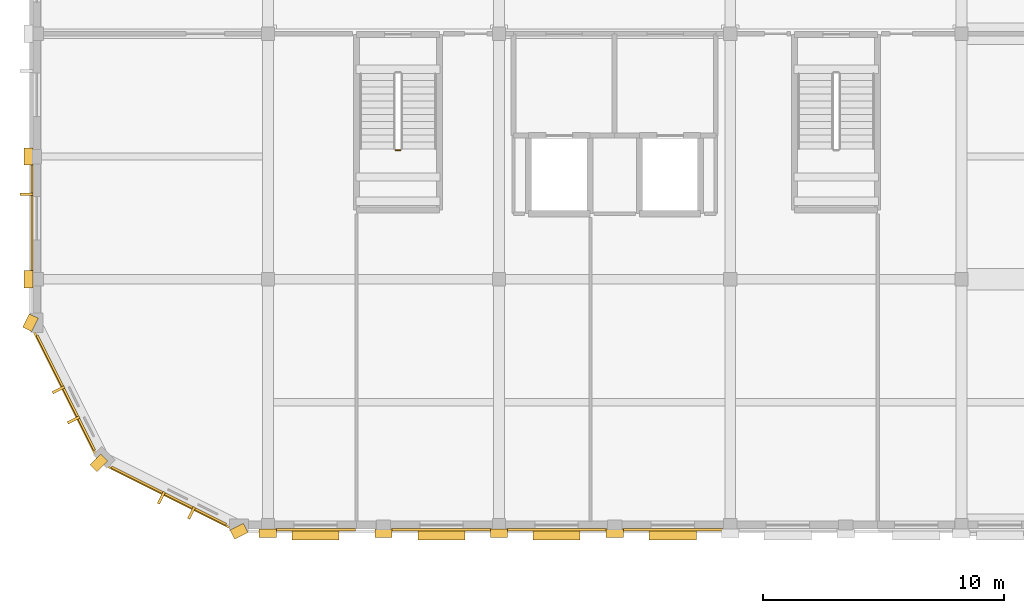
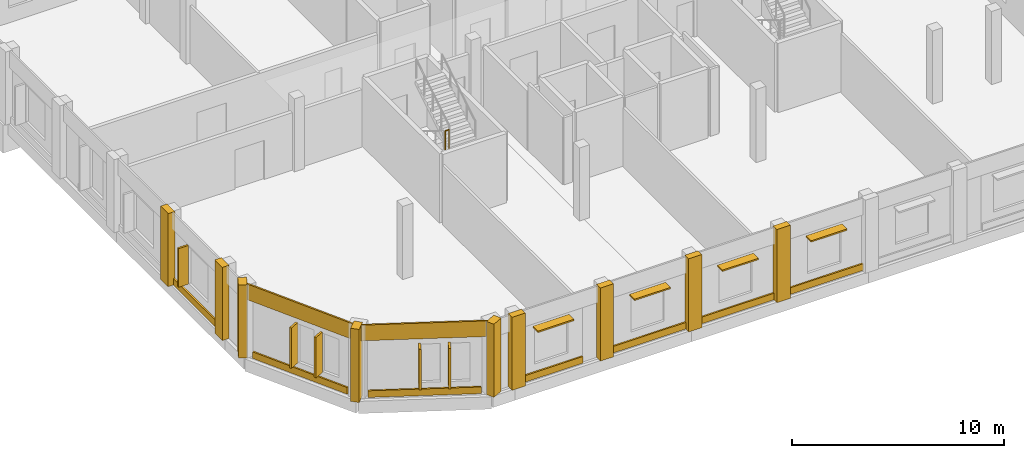
# One storey, part 64 of 70: 18 coverings, 9 shading devices, 1 railing.
"""IFC4 building model written with IfcOpenShell, lengths in metres."""

from ifc_helpers import new_model, si_unit, direction, frame, origin, origin_2d, place, context, subcontext, project, spatial, rectangle, circle, extrude, material, layer, layer_set, type_object, element, save


model = new_model("IFC4")

# Units and contexts
model_context = context("Model", 3, precision=1e-05, world=origin(), true_north=direction((0.0, 1.0)))
body_context = subcontext(model_context, "Body", "Model", "MODEL_VIEW")
ifc_project = project(units=[si_unit("LENGTHUNIT", "METRE"), si_unit("AREAUNIT", "SQUARE_METRE"), si_unit("VOLUMEUNIT", "CUBIC_METRE"), si_unit("PLANEANGLEUNIT", "RADIAN"), si_unit("MASSUNIT", "GRAM", prefix="KILO")], contexts=[model_context])

# Site, building, storey
site_placement = place(None, origin())
site = spatial("IfcSite", under=ifc_project, at=site_placement, CompositionType="ELEMENT")
building_placement = place(site_placement, origin())
building = spatial("IfcBuilding", under=site, at=building_placement, Name="Vondelvale Polytechnic", CompositionType="ELEMENT")
storey_placement = place(building_placement, frame((0.0, 0.0, 22.199951171875)))
storey = spatial("IfcBuildingStorey", under=building, at=storey_placement, Name="L05", CompositionType="ELEMENT", Elevation=22.199951171875)

# Coverings
ifc_material_1 = material(Name="Amsterdam School iron-spot clinker clay brickwork", Category="masonry")
ifc_layer_1 = layer(ifc_material_1, 0.090087890625)
ifc_layer_set_1 = layer_set([ifc_layer_1], Name="COV-BRICK-RELIEF")
covering_type = type_object("IfcCoveringType", Name="COV-BRICK-RELIEF", PredefinedType="CLADDING", material=ifc_layer_set_1)
for number, where, z_axis, x_axis, name in (
    (1, (5.4814453125, 1.1630859375, 3.300048828125), (0.0, 0.0, 1.0), (-0.89438856037, 0.447290848419, 0.0), "L05 exterior masonry spandrel band"),
    (2, (1.1630859375, 5.4814453125, 3.300048828125), (0.0, 0.0, 1.0), (-0.447290848419, 0.89438856037, 0.0), "L05 exterior masonry spandrel band"),
):
    element("IfcCovering", number, at=place(storey_placement, frame(where, z_axis=z_axis, x_axis=x_axis)), inside=storey, type_object=covering_type, Name=name, PredefinedType="CLADDING", context=body_context, shape_type="SweptSolid", body=[
        extrude(rectangle(XDim=6.260986328125, YDim=0.090087890625, at=origin_2d()), origin(), (0.0, 0.0, 1.0), 0.89990234375),
    ])
for number, where, z_axis, x_axis, name in (
    (3, (5.491943359375, 1.212646484375, 0.0), (0.0, 0.0, 1.0), (-0.89438856037, 0.447290848419, 0.0), "L05 exterior corbelled masonry relief band"),
    (4, (1.212646484375, 5.491943359375, 0.0), (0.0, 0.0, 1.0), (-0.447290848419, 0.89438856037, 0.0), "L05 exterior corbelled masonry relief band"),
):
    element("IfcCovering", number, at=place(storey_placement, frame(where, z_axis=z_axis, x_axis=x_axis)), inside=storey, type_object=covering_type, Name=name, PredefinedType="CLADDING", context=body_context, shape_type="SweptSolid", body=[
        extrude(rectangle(XDim=5.330078125, YDim=0.090087890625, at=origin_2d()), origin(), (0.0, 0.0, 1.0), 0.3798828125),
    ])
covering_1_placement = place(storey_placement, frame((11.575439453125, -0.200927734375, 0.0), z_axis=(0.0, 0.0, 1.0), x_axis=(-1.0, 0.0, 0.0)))
element("IfcCovering", 5, at=covering_1_placement, inside=storey, type_object=covering_type, Name="L05 exterior corbelled masonry relief band", PredefinedType="CLADDING", context=body_context, shape_type="SweptSolid", body=[
    extrude(rectangle(XDim=3.339111328125, YDim=0.090087890625, at=origin_2d()), origin(), (0.0, 0.0, 1.0), 0.3798828125),
])
for number, where, z_axis, x_axis, name in (
    (6, (16.8125, -0.200927734375, 0.0), (0.0, 0.0, 1.0), (-1.0, 0.0, 0.0), "L05 exterior corbelled masonry relief band"),
    (7, (21.58740234375, -0.200927734375, 0.0), (0.0, 0.0, 1.0), (-1.0, 0.0, 0.0), "L05 exterior corbelled masonry relief band"),
    (8, (26.41259765625, -0.200927734375, 0.0), (0.0, 0.0, 1.0), (-1.0, 0.0, 0.0), "L05 exterior corbelled masonry relief band"),
):
    element("IfcCovering", number, at=place(storey_placement, frame(where, z_axis=z_axis, x_axis=x_axis)), inside=storey, type_object=covering_type, Name=name, PredefinedType="CLADDING", context=body_context, shape_type="SweptSolid", body=[
        extrude(rectangle(XDim=4.1630859375, YDim=0.090087890625, at=origin_2d()), origin(), (0.0, 0.0, 1.0), 0.3798828125),
    ])
covering_2_placement = place(storey_placement, frame((-0.200927734375, 12.737548828125, 0.0), z_axis=(0.0, 0.0, 1.0), x_axis=(0.0, 1.0, 0.0)))
element("IfcCovering", 9, at=covering_2_placement, inside=storey, type_object=covering_type, Name="L05 exterior corbelled masonry relief band", PredefinedType="CLADDING", context=body_context, shape_type="SweptSolid", body=[
    extrude(rectangle(XDim=4.462890625, YDim=0.090087890625, at=origin_2d()), origin(), (0.0, 0.0, 1.0), 0.3798828125),
])
for number, where, z_axis, x_axis, name in (
    (10, (9.60009765625, -0.340087890625, 0.0), (0.0, 0.0, 1.0), (1.0, 0.0, 0.0), "L05 Classical street pilaster"),
    (11, (14.39990234375, -0.340087890625, 0.0), (0.0, 0.0, 1.0), (1.0, 0.0, 0.0), "L05 Classical street pilaster"),
    (12, (19.199951171875, -0.340087890625, 0.0), (0.0, 0.0, 1.0), (1.0, 0.0, 0.0), "L05 Classical street pilaster"),
    (13, (24.0, -0.340087890625, 0.0), (0.0, 0.0, 1.0), (1.0, 0.0, 0.0), "L05 Classical street pilaster"),
):
    element("IfcCovering", number, at=place(storey_placement, frame(where, z_axis=z_axis, x_axis=x_axis)), inside=storey, type_object=covering_type, Name=name, PredefinedType="CLADDING", context=body_context, shape_type="SweptSolid", body=[
        extrude(rectangle(XDim=0.719970703125, YDim=0.360107421875, at=origin_2d()), origin(), (0.0, 0.0, 1.0), 4.199951171875),
    ])
for number, where, z_axis, x_axis, name in (
    (14, (-0.340087890625, 10.199951171875, 0.0), (0.0, 0.0, 1.0), (1.0, 0.0, 0.0), "L05 Classical street pilaster"),
    (15, (-0.340087890625, 15.300048828125, 0.0), (0.0, 0.0, 1.0), (1.0, 0.0, 0.0), "L05 Classical street pilaster"),
):
    element("IfcCovering", number, at=place(storey_placement, frame(where, z_axis=z_axis, x_axis=x_axis)), inside=storey, type_object=covering_type, Name=name, PredefinedType="CLADDING", context=body_context, shape_type="SweptSolid", body=[
        extrude(rectangle(XDim=0.360107421875, YDim=0.719970703125, at=origin_2d()), origin(), (0.0, 0.0, 1.0), 4.199951171875),
    ])
for number, where, z_axis, x_axis, name in (
    (16, (8.39990234375, -0.260009765625, 0.0), (0.0, 0.0, 1.0), (0.894934361602, 0.44619781311, 0.0), "L05 Amsterdam School turret buttress rib"),
    (17, (2.580078125, 2.580078125, 0.0), (0.0, 0.0, 1.0), (0.707106781187, 0.707106781187, 0.0), "L05 Amsterdam School turret buttress rib"),
    (18, (-0.260009765625, 8.39990234375, 0.0), (0.0, 0.0, 1.0), (0.44619781311, 0.894934361602, 0.0), "L05 Amsterdam School turret buttress rib"),
):
    element("IfcCovering", number, at=place(storey_placement, frame(where, z_axis=z_axis, x_axis=x_axis)), inside=storey, type_object=covering_type, Name=name, PredefinedType="CLADDING", context=body_context, shape_type="SweptSolid", body=[
        extrude(rectangle(XDim=0.6201171875, YDim=0.419921875, at=origin_2d()), origin(), (0.0, 0.0, 1.0), 4.199951171875),
    ])

# Railing
ifc_material_2 = material(Name="Brushed architectural stainless and zinc-coated metal")
ifc_layer_2 = layer(ifc_material_2, 0.050048828125)
ifc_layer_set_2 = layer_set([ifc_layer_2], Name="RL-STAIR-GUARD")
railing_type = type_object("IfcRailingType", Name="RL-STAIR-GUARD", PredefinedType="GUARDRAIL", material=ifc_layer_set_2)
railing_placement = place(storey_placement, frame((14.89990234375, 15.56494140625, 2.10009765625)))
element("IfcRailing", 19, at=railing_placement, inside=storey, type_object=railing_type, Name="L05 ST-03 stair guard 2", PredefinedType="GUARDRAIL", context=body_context, shape_type="SweptSolid", body=[
    extrude(circle(Radius=0.02392578125, at=origin_2d()), frame((0.0, 0.0, 1.076171875), z_axis=(1.0, 0.0, 0.0), x_axis=(0.0, 1.0, 0.0)), (0.0, 0.0, 1.0), 0.2001953125),
    extrude(circle(Radius=0.02099609375, at=origin_2d()), origin(), (0.0, 0.0, 1.0), 1.052001953125),
    extrude(circle(Radius=0.02099609375, at=origin_2d()), frame((0.2001953125, 0.0, 0.0)), (0.0, 0.0, 1.0), 1.052001953125),
])

# Shading devices
ifc_material_3 = material(Name="Anodised extruded aluminium 6063-T6", Category="aluminium")
shading_device_type_1 = type_object("IfcShadingDeviceType", Name="SHD-BRONZE-LOUVRE", PredefinedType="SHUTTER", material=ifc_material_3)
for number, where, z_axis, x_axis, name in (
    (20, (11.575439453125, -0.385009765625, 2.907470703125), (0.0, 0.0, 1.0), (-1.0, 0.0, 0.0), "L05 horizontal bronze sun-louvre overhang"),
    (21, (16.8125, -0.385009765625, 2.907470703125), (0.0, 0.0, 1.0), (-1.0, 0.0, 0.0), "L05 horizontal bronze sun-louvre overhang"),
    (22, (21.58740234375, -0.385009765625, 2.907470703125), (0.0, 0.0, 1.0), (-1.0, 0.0, 0.0), "L05 horizontal bronze sun-louvre overhang"),
    (23, (26.41259765625, -0.385009765625, 2.907470703125), (0.0, 0.0, 1.0), (-1.0, 0.0, 0.0), "L05 horizontal bronze sun-louvre overhang"),
):
    element("IfcShadingDevice", number, at=place(storey_placement, frame(where, z_axis=z_axis, x_axis=x_axis)), inside=storey, type_object=shading_device_type_1, Name=name, PredefinedType="SHUTTER", context=body_context, shape_type="SweptSolid", body=[
        extrude(rectangle(XDim=1.9599609375, YDim=0.47998046875, at=origin_2d()), origin(), (0.0, 0.0, 1.0), 0.0849609375),
    ])
ifc_material_4 = material(Name="Kiln-fired architectural terracotta", Category="masonry")
shading_device_type_2 = type_object("IfcShadingDeviceType", Name="SHD-TERRA-FIN-550", PredefinedType="JALOUSIE", material=ifc_material_4)
for number, where, z_axis, x_axis, name in (
    (24, (6.427001953125, 0.5, 0.64013671875), (0.0, 0.0, 1.0), (-0.89438856037, 0.447290848419, 0.0), "L05 vertical terracotta solar fin"),
    (25, (5.1748046875, 1.126220703125, 0.64013671875), (0.0, 0.0, 1.0), (-0.89438856037, 0.447290848419, 0.0), "L05 vertical terracotta solar fin"),
    (26, (1.533203125, 4.361083984375, 0.64013671875), (0.0, 0.0, 1.0), (-0.447290848419, 0.89438856037, 0.0), "L05 vertical terracotta solar fin"),
    (27, (0.906982421875, 5.613037109375, 0.64013671875), (0.0, 0.0, 1.0), (-0.447290848419, 0.89438856037, 0.0), "L05 vertical terracotta solar fin"),
):
    element("IfcShadingDevice", number, at=place(storey_placement, frame(where, z_axis=z_axis, x_axis=x_axis)), inside=storey, type_object=shading_device_type_2, Name=name, PredefinedType="JALOUSIE", context=body_context, shape_type="SweptSolid", body=[
        extrude(rectangle(XDim=0.110107421875, YDim=0.550048828125, at=origin_2d()), origin(), (0.0, 0.0, 1.0), 2.320068359375),
    ])
shading_device_placement = place(storey_placement, frame((-0.419921875, 13.7275390625, 0.7900390625), z_axis=(0.0, 0.0, 1.0), x_axis=(0.0, 1.0, 0.0)))
element("IfcShadingDevice", 28, at=shading_device_placement, inside=storey, type_object=shading_device_type_2, Name="L05 vertical terracotta solar fin", PredefinedType="JALOUSIE", context=body_context, shape_type="SweptSolid", body=[
    extrude(rectangle(XDim=0.110107421875, YDim=0.550048828125, at=origin_2d()), origin(), (0.0, 0.0, 1.0), 2.219970703125),
])

save(model, "model.ifc")
